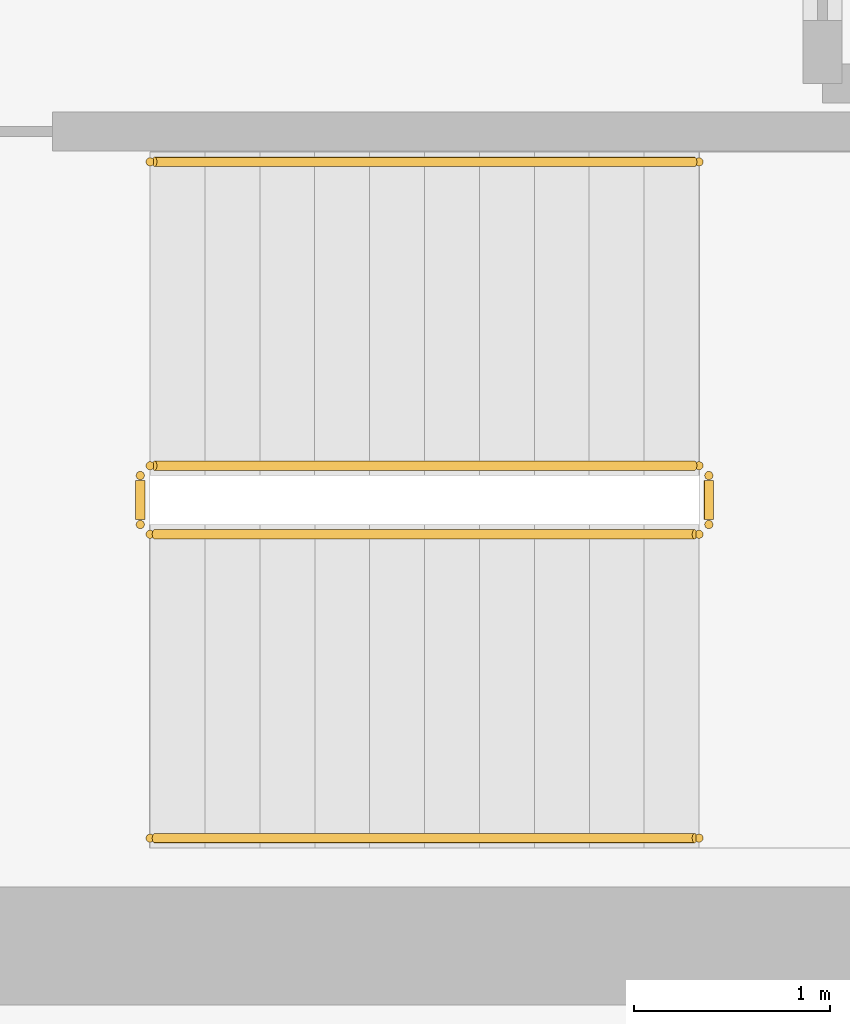
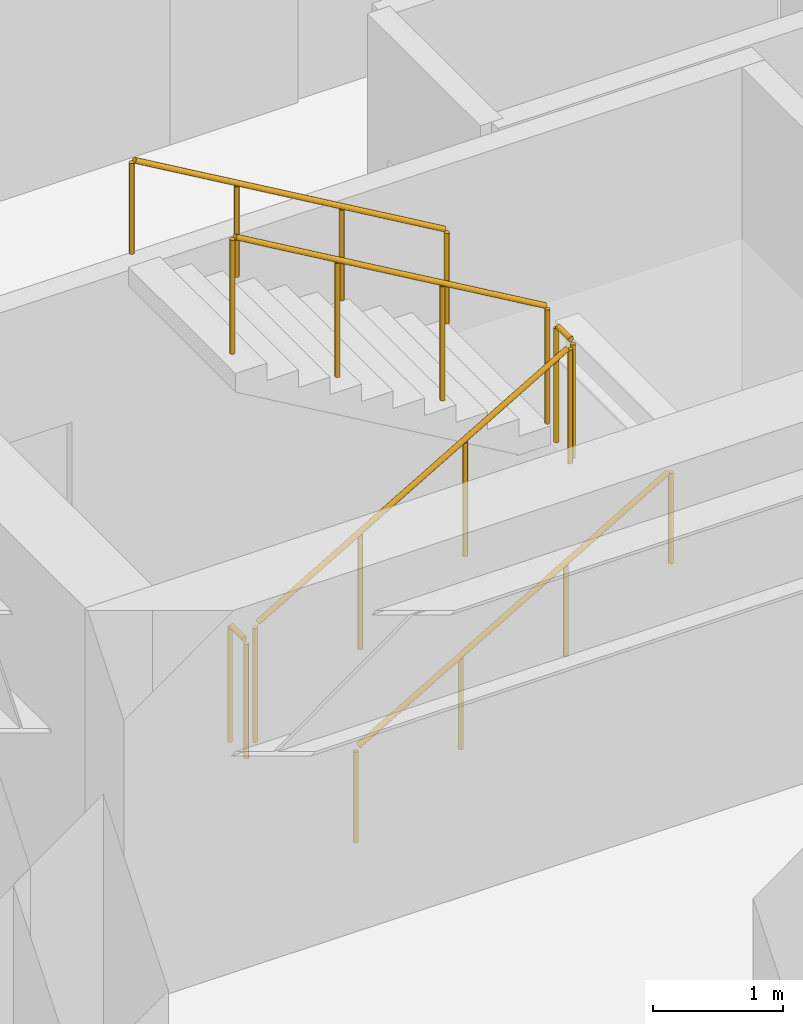
# One storey, part 11 of 11: 6 railings.
"""IFC4 building model written with IfcOpenShell, lengths in metres."""

from ifc_helpers import new_model, si_unit, direction, frame, origin, origin_2d, place, context, subcontext, project, spatial, circle, extrude, source, transform, mapped, material, layer, layer_set, type_object, element, save


model = new_model("IFC4")

# Units and contexts
model_context = context("Model", 3, precision=1e-05, world=origin(), true_north=direction((0.0, 1.0)))
body_context = subcontext(model_context, "Body", "Model", "MODEL_VIEW")
ifc_project = project(units=[si_unit("LENGTHUNIT", "METRE"), si_unit("AREAUNIT", "SQUARE_METRE"), si_unit("VOLUMEUNIT", "CUBIC_METRE"), si_unit("PLANEANGLEUNIT", "RADIAN"), si_unit("MASSUNIT", "GRAM", prefix="KILO")], contexts=[model_context])

# Site, building, storey
site_placement = place(None, origin())
site = spatial("IfcSite", under=ifc_project, at=site_placement, CompositionType="ELEMENT")
building_placement = place(site_placement, origin())
building = spatial("IfcBuilding", under=site, at=building_placement, Name="Kharzan Plaza Tower", CompositionType="ELEMENT")
storey_placement = place(building_placement, frame((0.0, 0.0, 186.300048828125)))
storey = spatial("IfcBuildingStorey", under=building, at=storey_placement, Name="L50", CompositionType="ELEMENT", Elevation=186.300048828125)

# Railings
ifc_material_1 = material(Name="Painted Galvanized Architectural Steel", Category="steel")
ifc_layer_1 = layer(ifc_material_1, 0.074951171875)
ifc_layer_set_1 = layer_set([ifc_layer_1], Name="Painted Galvanized Architectural Steel")
railing_type_1 = type_object("IfcRailingType", Name="RL-GUARD-1120", PredefinedType="BALUSTRADE", material=ifc_layer_set_1)
shared_shape_1 = source(origin(), body_context, "Body", "SweptSolid", [
    extrude(circle(Radius=0.02392578125, at=origin_2d()), frame((0.0, 0.0263671875, 1.09619140625), z_axis=(0.0, 1.0, 0.0), x_axis=(-1.0, 0.0, 0.0)), (0.0, 0.0, 1.0), 0.197021484375),
    extrude(circle(Radius=0.02099609375, at=origin_2d()), origin(), (0.0, 0.0, 1.0), 1.072021484375),
    extrude(circle(Radius=0.02099609375, at=origin_2d()), frame((0.0, 0.25, 0.0)), (0.0, 0.0, 1.0), 1.072021484375),
])
for number, where, name in (
    (1, (41.10009765625, 6.64990234375, 1.800048828125), "L50 ST-3 stair guard 2"),
    (2, (38.199951171875, 6.64990234375, 0.0), "L50 ST-3 stair guard 4"),
):
    element("IfcRailing", number, at=place(storey_placement, frame(where)), inside=storey, type_object=railing_type_1, Name=name, PredefinedType="BALUSTRADE", context=body_context, shape_type="MappedRepresentation", body=[
        mapped(shared_shape_1, transform((0.0, 0.0, 0.0), x_axis=(1.0, 0.0, 0.0), y_axis=(0.0, 1.0, 0.0), z_axis=(0.0, 0.0, 1.0))),
    ])
shared_shape_2 = source(origin(), body_context, "Body", "SweptSolid", [
    extrude(circle(Radius=0.02392578125, at=origin_2d()), frame((0.02294921875, 0.0, 1.109375), z_axis=(0.863360870873, 0.0, 0.504586966384), x_axis=(0.0, 1.0, 0.0)), (0.0, 0.0, 1.0), 3.190185546875),
    extrude(circle(Radius=0.02099609375, at=origin_2d()), origin(), (0.0, 0.0, 1.0), 1.072021484375),
    extrude(circle(Radius=0.02099609375, at=origin_2d()), frame((0.933349609375, 0.0, 0.54541015625)), (0.0, 0.0, 1.0), 1.072021484375),
    extrude(circle(Radius=0.02099609375, at=origin_2d()), frame((1.86669921875, 0.0, 1.091064453125)), (0.0, 0.0, 1.0), 1.072021484375),
    extrude(circle(Radius=0.02099609375, at=origin_2d()), frame((2.800048828125, 0.0, 1.636474609375)), (0.0, 0.0, 1.0), 1.072021484375),
])
railing_1_placement = place(storey_placement, frame((38.25, 6.60009765625, 0.16357421875)))
element("IfcRailing", 3, at=railing_1_placement, inside=storey, type_object=railing_type_1, Name="L50 ST-3 stair guard 1", PredefinedType="BALUSTRADE", context=body_context, shape_type="MappedRepresentation", body=[
    mapped(shared_shape_2, transform((0.0, 0.0, 0.0), x_axis=(1.0, 0.0, 0.0), y_axis=(0.0, 1.0, 0.0), z_axis=(0.0, 0.0, 1.0))),
])
ifc_material_2 = material(Name="Brushed Stainless Steel", Category="steel")
ifc_layer_2 = layer(ifc_material_2, 0.050048828125)
ifc_layer_set_2 = layer_set([ifc_layer_2], Name="Brushed Stainless Steel")
railing_type_2 = type_object("IfcRailingType", Name="RL-STAIR-HR920", PredefinedType="HANDRAIL", material=ifc_layer_set_2)
shared_shape_3 = source(origin(), body_context, "Body", "SweptSolid", [
    extrude(circle(Radius=0.02392578125, at=origin_2d()), frame((0.02294921875, 0.0, 0.88916015625), z_axis=(0.863360870873, 0.0, 0.504586966384), x_axis=(0.0, 1.0, 0.0)), (0.0, 0.0, 1.0), 3.190185546875),
    extrude(circle(Radius=0.02099609375, at=origin_2d()), origin(), (0.0, 0.0, 1.0), 0.851806640625),
    extrude(circle(Radius=0.02099609375, at=origin_2d()), frame((0.933349609375, 0.0, 0.54541015625)), (0.0, 0.0, 1.0), 0.851806640625),
    extrude(circle(Radius=0.02099609375, at=origin_2d()), frame((1.86669921875, 0.0, 1.091064453125)), (0.0, 0.0, 1.0), 0.851806640625),
    extrude(circle(Radius=0.02099609375, at=origin_2d()), frame((2.800048828125, 0.0, 1.636474609375)), (0.0, 0.0, 1.0), 0.851806640625),
])
railing_2_placement = place(storey_placement, frame((38.25, 5.050048828125, 0.16357421875)))
element("IfcRailing", 4, at=railing_2_placement, inside=storey, type_object=railing_type_2, Name="L50 ST-3 stair handrail 1", PredefinedType="HANDRAIL", context=body_context, shape_type="MappedRepresentation", body=[
    mapped(shared_shape_3, transform((0.0, 0.0, 0.0), x_axis=(1.0, 0.0, 0.0), y_axis=(0.0, 1.0, 0.0), z_axis=(0.0, 0.0, 1.0))),
])
shared_shape_4 = source(origin(), body_context, "Body", "SweptSolid", [
    extrude(circle(Radius=0.02392578125, at=origin_2d()), frame((-0.02294921875, 0.0, 1.109375), z_axis=(-0.863393664356, 0.0, 0.504530851732), x_axis=(0.0, -1.0, 0.0)), (0.0, 0.0, 1.0), 3.190185546875),
    extrude(circle(Radius=0.02099609375, at=origin_2d()), origin(), (0.0, 0.0, 1.0), 1.072021484375),
    extrude(circle(Radius=0.02099609375, at=origin_2d()), frame((-0.933349609375, 0.0, 0.54541015625)), (0.0, 0.0, 1.0), 1.072021484375),
    extrude(circle(Radius=0.02099609375, at=origin_2d()), frame((-1.86669921875, 0.0, 1.0908203125)), (0.0, 0.0, 1.0), 1.072021484375),
    extrude(circle(Radius=0.02099609375, at=origin_2d()), frame((-2.800048828125, 0.0, 1.63623046875)), (0.0, 0.0, 1.0), 1.072021484375),
])
railing_3_placement = place(storey_placement, frame((41.050048828125, 6.949951171875, 1.963623046875)))
element("IfcRailing", 5, at=railing_3_placement, inside=storey, type_object=railing_type_1, Name="L50 ST-3 stair guard 3", PredefinedType="BALUSTRADE", context=body_context, shape_type="MappedRepresentation", body=[
    mapped(shared_shape_4, transform((0.0, 0.0, 0.0), x_axis=(1.0, 0.0, 0.0), y_axis=(0.0, 1.0, 0.0), z_axis=(0.0, 0.0, 1.0))),
])
shared_shape_5 = source(origin(), body_context, "Body", "SweptSolid", [
    extrude(circle(Radius=0.02392578125, at=origin_2d()), frame((-0.02294921875, 0.0, 0.88916015625), z_axis=(-0.863393664356, 0.0, 0.504530851732), x_axis=(0.0, -1.0, 0.0)), (0.0, 0.0, 1.0), 3.190185546875),
    extrude(circle(Radius=0.02099609375, at=origin_2d()), origin(), (0.0, 0.0, 1.0), 0.851806640625),
    extrude(circle(Radius=0.02099609375, at=origin_2d()), frame((-0.933349609375, 0.0, 0.54541015625)), (0.0, 0.0, 1.0), 0.851806640625),
    extrude(circle(Radius=0.02099609375, at=origin_2d()), frame((-1.86669921875, 0.0, 1.0908203125)), (0.0, 0.0, 1.0), 0.851806640625),
    extrude(circle(Radius=0.02099609375, at=origin_2d()), frame((-2.800048828125, 0.0, 1.63623046875)), (0.0, 0.0, 1.0), 0.851806640625),
])
railing_4_placement = place(storey_placement, frame((41.050048828125, 8.5, 1.963623046875)))
element("IfcRailing", 6, at=railing_4_placement, inside=storey, type_object=railing_type_2, Name="L50 ST-3 stair handrail 2", PredefinedType="HANDRAIL", context=body_context, shape_type="MappedRepresentation", body=[
    mapped(shared_shape_5, transform((0.0, 0.0, 0.0), x_axis=(1.0, 0.0, 0.0), y_axis=(0.0, 1.0, 0.0), z_axis=(0.0, 0.0, 1.0))),
])

save(model, "model.ifc")
